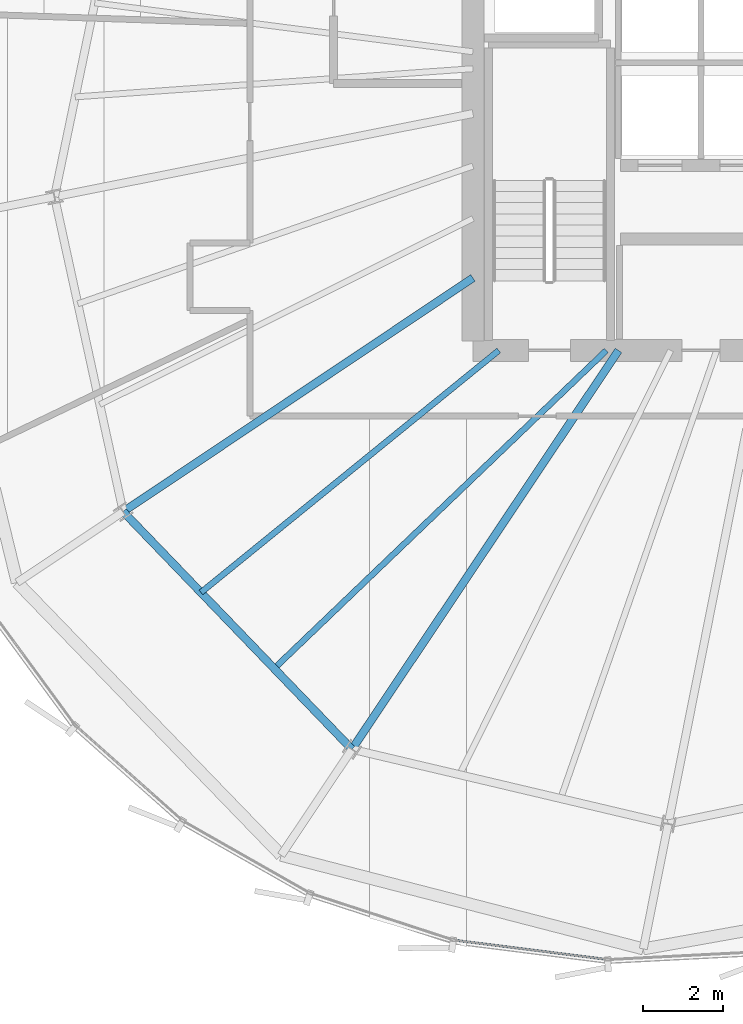
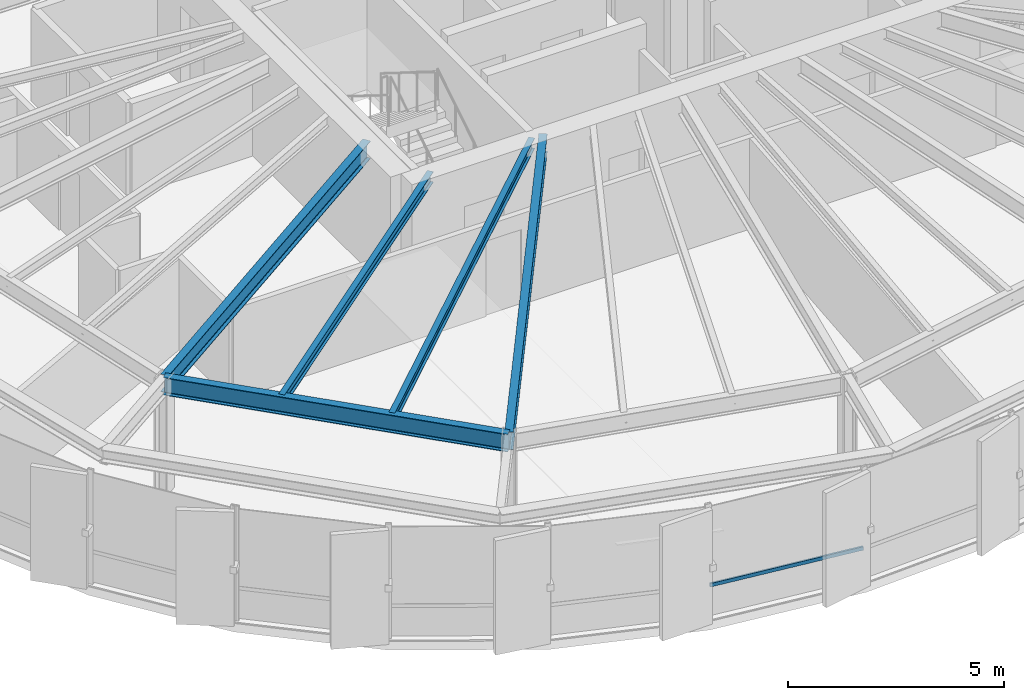
# One storey, part 5 of 35: 5 beams, 1 member, 1 element without a shape of its own.
"""IFC4 building model written with IfcOpenShell, lengths in metres."""

from ifc_helpers import new_model, si_unit, direction, frame, origin, origin_2d, place, context, subcontext, project, spatial, hollow_rectangle, i_section, extrude, source, transform, mapped, material, layer, layer_set, material_profile, profile_set, type_object, element, aggregate, save


model = new_model("IFC4")

# Units and contexts
model_context = context("Model", 3, precision=1e-05, world=origin(), true_north=direction((0.0, 1.0)))
body_context = subcontext(model_context, "Body", "Model", "MODEL_VIEW")
ifc_project = project(units=[si_unit("LENGTHUNIT", "METRE"), si_unit("AREAUNIT", "SQUARE_METRE"), si_unit("VOLUMEUNIT", "CUBIC_METRE"), si_unit("PLANEANGLEUNIT", "RADIAN"), si_unit("MASSUNIT", "GRAM", prefix="KILO"), si_unit("THERMODYNAMICTEMPERATUREUNIT", "KELVIN")], contexts=[model_context])

# Site, building, storey
site_placement = place(None, origin())
site = spatial("IfcSite", under=ifc_project, at=site_placement, CompositionType="ELEMENT")
building_placement = place(site_placement, origin())
building = spatial("IfcBuilding", under=site, at=building_placement, Name="Kethvar Cultural Tower", CompositionType="ELEMENT")
storey_placement = place(building_placement, frame((0.0, 0.0, 204.39990234375)))
storey = spatial("IfcBuildingStorey", under=building, at=storey_placement, Name="L53", CompositionType="ELEMENT", Elevation=204.39990234375)

# Beams
ifc_material_1 = material(Name="Steel S355J2", Category="steel")
ifc_material_profile_1 = material_profile(ifc_material_1, i_section(OverallWidth=0.199951171875, OverallDepth=0.5, WebThickness=0.01025390625, FlangeThickness=0.01611328125, FilletRadius=0.02099609375, at=origin_2d()), Name="Steel S355J2 — IPE500")
ifc_profile_set_1 = profile_set([ifc_material_profile_1], Name="Steel S355J2 — IPE500")
beam_type_1 = type_object("IfcBeamType", Name="BM-IPE500", PredefinedType="BEAM", material=ifc_profile_set_1)
shared_shape_1 = source(origin(), body_context, "Body", "SweptSolid", [
    extrude(i_section(OverallWidth=0.199951171875, OverallDepth=0.5, WebThickness=0.01025390625, FlangeThickness=0.01611328125, FilletRadius=0.02099609375, at=origin_2d()), origin(), (0.0, 0.0, 1.0), 10.562744140625),
])
beam_1_placement = place(storey_placement, frame((38.0, 21.920166015625, 3.008056640625), z_axis=(-0.831463100754, -0.555579978117, 0.0), x_axis=(0.555579978117, -0.831463100754, 0.0)))
element("IfcBeam", 1, at=beam_1_placement, inside=storey, type_object=beam_type_1, Name="L53 Primary Radial Beam RB-10", PredefinedType="BEAM", context=body_context, shape_type="MappedRepresentation", body=[
    mapped(shared_shape_1, transform((0.0, 0.0, 0.0), scale=1.0)),
])
shared_shape_2 = source(origin(), body_context, "Body", "SweptSolid", [
    extrude(i_section(OverallWidth=0.199951171875, OverallDepth=0.5, WebThickness=0.01025390625, FlangeThickness=0.01611328125, FilletRadius=0.02099609375, at=origin_2d()), origin(), (0.0, 0.0, 1.0), 12.0458984375),
])
beam_2_placement = place(storey_placement, frame((41.655029296875, 20.10009765625, 3.008056640625), z_axis=(-0.555569831996, -0.831469880258, 0.0), x_axis=(0.831469880258, -0.555569831996, 0.0)))
element("IfcBeam", 2, at=beam_2_placement, inside=storey, type_object=beam_type_1, Name="L53 Primary Radial Beam RB-11", PredefinedType="BEAM", context=body_context, shape_type="MappedRepresentation", body=[
    mapped(shared_shape_2, transform((0.0, 0.0, 0.0), scale=1.0)),
])
shared_shape_3 = source(origin(), body_context, "Body", "SweptSolid", [
    extrude(i_section(OverallWidth=0.199951171875, OverallDepth=0.5, WebThickness=0.01025390625, FlangeThickness=0.01611328125, FilletRadius=0.02099609375, at=origin_2d()), origin(), (0.0, 0.0, 1.0), 8.28369140625),
])
beam_3_placement = place(storey_placement, frame((29.217529296875, 16.0517578125, 3.008056640625), z_axis=(0.693554459208, -0.72040420051, 0.0), x_axis=(0.72040420051, 0.693554459208, 0.0)))
element("IfcBeam", 3, at=beam_3_placement, inside=storey, type_object=beam_type_1, Name="L53 Column Ring Tie Beam CR-10", PredefinedType="BEAM", context=body_context, shape_type="MappedRepresentation", body=[
    mapped(shared_shape_3, transform((0.0, 0.0, 0.0), scale=1.0)),
])
ifc_material_profile_2 = material_profile(ifc_material_1, i_section(OverallWidth=0.14990234375, OverallDepth=0.300048828125, WebThickness=0.007080078125, FlangeThickness=0.0107421875, FilletRadius=0.014892578125, at=origin_2d()), Name="Steel S355J2 — IPE300")
ifc_profile_set_2 = profile_set([ifc_material_profile_2], Name="Steel S355J2 — IPE300")
beam_type_2 = type_object("IfcBeamType", Name="BM-J300", PredefinedType="JOIST", material=ifc_profile_set_2)
shared_shape_4 = source(origin(), body_context, "Body", "SweptSolid", [
    extrude(i_section(OverallWidth=0.14990234375, OverallDepth=0.300048828125, WebThickness=0.007080078125, FlangeThickness=0.0107421875, FilletRadius=0.014892578125, at=origin_2d()), origin(), (0.0, 0.0, 1.0), 9.63671875),
])
beam_4_placement = place(storey_placement, frame((38.64990234375, 20.10009765625, 3.108154296875), z_axis=(-0.776090751649, -0.630621237515, 0.0), x_axis=(0.630621237515, -0.776090751649, 0.0)))
element("IfcBeam", 4, at=beam_4_placement, inside=storey, type_object=beam_type_2, Name="L53 Composite Floor Joist J-10A", PredefinedType="JOIST", context=body_context, shape_type="MappedRepresentation", body=[
    mapped(shared_shape_4, transform((0.0, 0.0, 0.0), scale=1.0)),
])
shared_shape_5 = source(origin(), body_context, "Body", "SweptSolid", [
    extrude(i_section(OverallWidth=0.14990234375, OverallDepth=0.300048828125, WebThickness=0.007080078125, FlangeThickness=0.0107421875, FilletRadius=0.014892578125, at=origin_2d()), origin(), (0.0, 0.0, 1.0), 11.548095703125),
])
beam_5_placement = place(storey_placement, frame((41.35009765625, 20.10009765625, 3.108154296875), z_axis=(-0.722268013472, -0.691613271067, 0.0), x_axis=(0.691613271067, -0.722268013472, 0.0)))
element("IfcBeam", 5, at=beam_5_placement, inside=storey, type_object=beam_type_2, Name="L53 Composite Floor Joist J-10B", PredefinedType="JOIST", context=body_context, shape_type="MappedRepresentation", body=[
    mapped(shared_shape_5, transform((0.0, 0.0, 0.0), scale=1.0)),
])

# Curtain wall, member
ifc_material_2 = material(Name="Aluminium 6063-T6", Category="aluminium")
ifc_layer = layer(ifc_material_2, 0.179931640625, Name="Aluminium 6063-T6", Category="aluminium")
ifc_layer_set = layer_set([ifc_layer], Name="Aluminium 6063-T6 (180 mm)")
curtain_wall_type = type_object("IfcCurtainWallType", Name="CW-SYS-04-Z34", PredefinedType="NOTDEFINED", material=ifc_layer_set)
curtain_wall_placement = place(storey_placement, origin())
curtain_wall = element("IfcCurtainWall", 6, at=curtain_wall_placement, inside=storey, type_object=curtain_wall_type, Name="L53 Curtain Wall Run 04", PredefinedType="NOTDEFINED")
ifc_material_profile_3 = material_profile(ifc_material_2, hollow_rectangle(XDim=0.050048828125, YDim=0.10009765625, WallThickness=0.00390625, at=origin_2d()), Name="Aluminium 6063-T6 — RHS100x50x4")
ifc_profile_set_3 = profile_set([ifc_material_profile_3], Name="Aluminium 6063-T6 — RHS100x50x4")
member_type = type_object("IfcMemberType", Name="CW-SYS-04-Z34-TRN", PredefinedType="USERDEFINED", material=ifc_profile_set_3)
shared_shape_6 = source(origin(), body_context, "Body", "SweptSolid", [
    extrude(hollow_rectangle(XDim=0.050048828125, YDim=0.10009765625, WallThickness=0.00390625, at=origin_2d()), origin(), (0.0, 0.0, 1.0), 3.84228515625),
])
member_placement = place(storey_placement, frame((37.54931640625, 5.290771484375, 0.9501953125), z_axis=(0.992110805042, -0.125364071881, 0.0), x_axis=(0.125364071881, 0.992110805042, 0.0)))
member = element("IfcMember", 7, at=member_placement, type_object=member_type, Name="CW-L53-R04 Transom 4", ObjectType="TRANSOM", PredefinedType="USERDEFINED", context=body_context, shape_type="MappedRepresentation", body=[
    mapped(shared_shape_6, transform((0.0, 0.0, 0.0), scale=1.0)),
])
aggregate(curtain_wall, [member])

save(model, "model.ifc")
